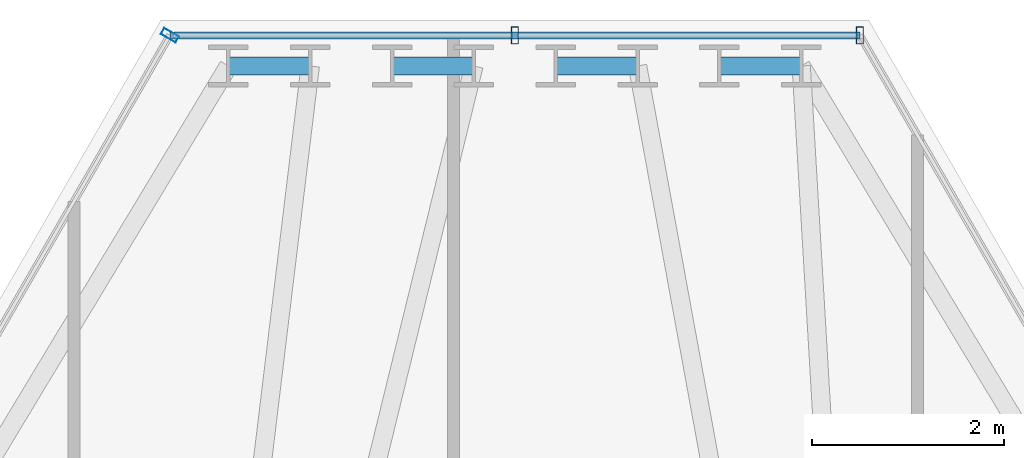
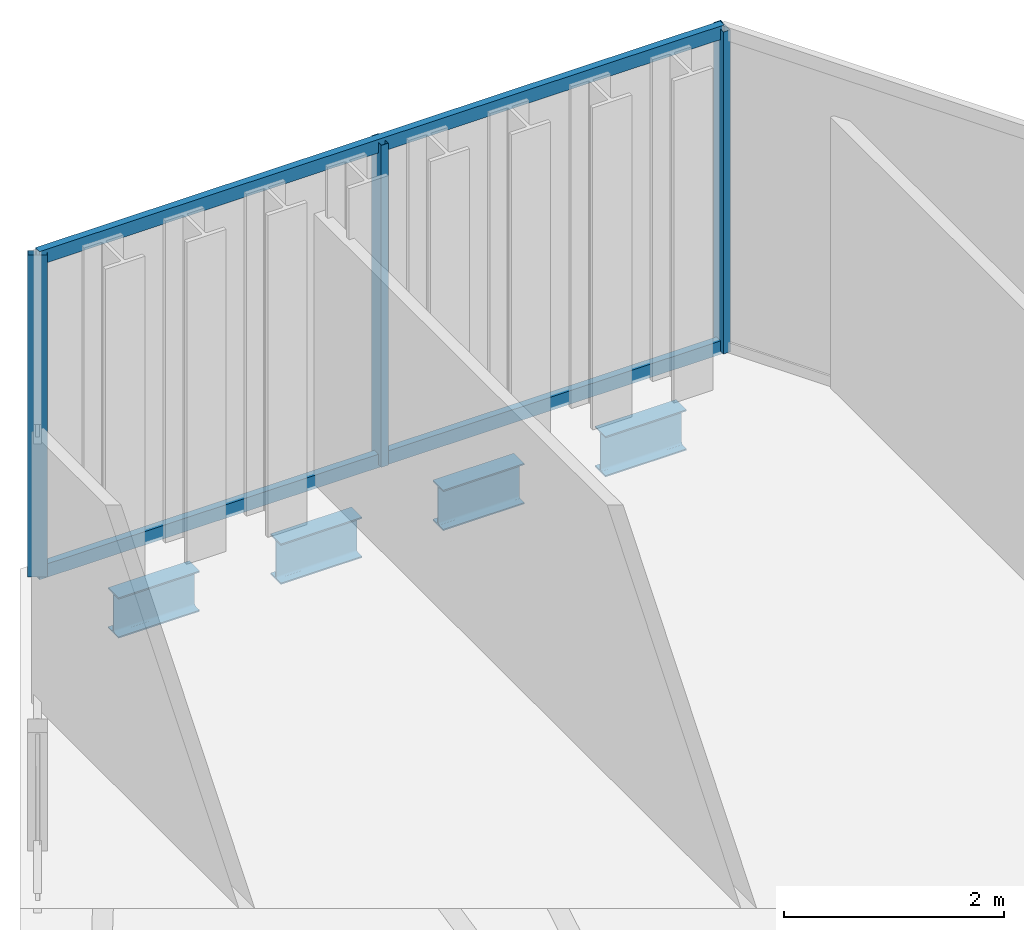
# One storey, part 22 of 29: 5 members, 4 beams, 2 elements without a shape of their own.
"""IFC4 building model written with IfcOpenShell, lengths in metres."""

from ifc_helpers import new_model, si_unit, direction, frame, origin, origin_2d, place, context, subcontext, project, spatial, hollow_rectangle, i_section, extrude, material, layer, layer_set, material_profile, profile_set, type_object, element, aggregate, save


model = new_model("IFC4")

# Units and contexts
model_context = context("Model", 3, precision=1e-05, world=origin(), true_north=direction((0.0, 1.0)))
body_context = subcontext(model_context, "Body", "Model", "MODEL_VIEW")
ifc_project = project(units=[si_unit("LENGTHUNIT", "METRE"), si_unit("AREAUNIT", "SQUARE_METRE"), si_unit("VOLUMEUNIT", "CUBIC_METRE"), si_unit("PLANEANGLEUNIT", "RADIAN"), si_unit("MASSUNIT", "GRAM", prefix="KILO")], contexts=[model_context])

# Site, building, storey
site_placement = place(None, origin())
site = spatial("IfcSite", under=ifc_project, at=site_placement, CompositionType="ELEMENT")
building_placement = place(site_placement, origin())
building = spatial("IfcBuilding", under=site, at=building_placement, Name="Ndaravel Arena Tower", CompositionType="ELEMENT")
storey_placement = place(building_placement, frame((0.0, 0.0, 233.199951171875)))
storey = spatial("IfcBuildingStorey", under=building, at=storey_placement, Name="L56", CompositionType="ELEMENT", Elevation=233.199951171875)

# Beams
ifc_material_1 = material(Name="Steel S355", Category="steel")
ifc_material_profile_1 = material_profile(ifc_material_1, i_section(OverallWidth=0.18994140625, OverallDepth=0.449951171875, WebThickness=0.009521484375, FlangeThickness=0.0146484375, FilletRadius=0.02099609375, at=origin_2d()), Name="IPE 450")
ifc_profile_set_1 = profile_set([ifc_material_profile_1], Name="Steel S355")
beam_type = type_object("IfcBeamType", Name="BM-SPAN-IPE450", PredefinedType="SPANDREL", material=ifc_profile_set_1)
for number, where, z_axis, x_axis, name in (
    (1, (44.988037109375, 44.968994140625, -0.445068359375), (-1.0, 0.0, 0.0), (0.0, -1.0, 0.0), "L56 Perimeter Spandrel Beam SP-11"),
    (2, (43.280517578125, 44.968994140625, -0.445068359375), (-1.0, 0.0, 0.0), (0.0, -1.0, 0.0), "L56 Perimeter Spandrel Beam SP-13"),
    (3, (41.572998046875, 44.968994140625, -0.445068359375), (-1.0, 0.0, 0.0), (0.0, -1.0, 0.0), "L56 Perimeter Spandrel Beam SP-15"),
    (4, (39.865478515625, 44.968994140625, -0.445068359375), (-1.0, 0.0, 0.0), (0.0, -1.0, 0.0), "L56 Perimeter Spandrel Beam SP-17"),
):
    element("IfcBeam", number, at=place(storey_placement, frame(where, z_axis=z_axis, x_axis=x_axis)), inside=storey, type_object=beam_type, Name=name, PredefinedType="SPANDREL", context=body_context, shape_type="SweptSolid", body=[
        extrude(i_section(OverallWidth=0.18994140625, OverallDepth=0.449951171875, WebThickness=0.009521484375, FlangeThickness=0.0146484375, FilletRadius=0.02099609375, at=origin_2d()), origin(), (0.0, 0.0, 1.0), 0.853515625),
    ])

# Curtain wall, members
ifc_material_2 = material(Name="Aluminium", Category="aluminium")
ifc_layer_1 = layer(ifc_material_2, 0.179931640625)
ifc_layer_set_1 = layer_set([ifc_layer_1], Name="Aluminium")
curtain_wall_type_1 = type_object("IfcCurtainWallType", Name="CW-SYS-01", PredefinedType="NOTDEFINED", material=ifc_layer_set_1)
curtain_wall_1_placement = place(storey_placement, origin())
curtain_wall_1 = element("IfcCurtainWall", 5, at=curtain_wall_1_placement, inside=storey, type_object=curtain_wall_type_1, Name="L56 Faceted Crystal Curtain Wall CW-L56-E04", PredefinedType="NOTDEFINED")
ifc_material_3 = material(Name="Aluminium", Category="aluminium")
ifc_material_profile_2 = material_profile(ifc_material_3, hollow_rectangle(XDim=0.074951171875, YDim=0.179931640625, WallThickness=0.00390625, at=origin_2d()), Name="CW MULLION 75x180x4")
ifc_profile_set_2 = profile_set([ifc_material_profile_2], Name="Aluminium")
member_type_1 = type_object("IfcMemberType", Name="MEM-CW-MUL180", PredefinedType="MULLION", material=ifc_profile_set_2)
member_1_placement = place(storey_placement, frame((45.599609375, 45.288818359375, 0.0), z_axis=(0.0, 0.0, 1.0), x_axis=(-1.0, 0.0, 0.0)))
member_1 = element("IfcMember", 6, at=member_1_placement, type_object=member_type_1, Name="CW-L56-E04 Mullion 00", PredefinedType="MULLION", context=body_context, shape_type="SweptSolid", body=[
    extrude(hollow_rectangle(XDim=0.074951171875, YDim=0.179931640625, WallThickness=0.00390625, at=origin_2d()), origin(), (0.0, 0.0, 1.0), 3.580078125),
])
member_2_placement = place(storey_placement, frame((42.0, 45.288818359375, 0.0), z_axis=(0.0, 0.0, 1.0), x_axis=(-1.0, 0.0, 0.0)))
member_2 = element("IfcMember", 7, at=member_2_placement, type_object=member_type_1, Name="CW-L56-E04 Mullion 01", PredefinedType="MULLION", context=body_context, shape_type="SweptSolid", body=[
    extrude(hollow_rectangle(XDim=0.074951171875, YDim=0.179931640625, WallThickness=0.00390625, at=origin_2d()), origin(), (0.0, 0.0, 1.0), 3.580078125),
])

# Curtain wall, member
ifc_material_4 = material(Name="Aluminium", Category="aluminium")
ifc_layer_2 = layer(ifc_material_4, 0.179931640625)
ifc_layer_set_2 = layer_set([ifc_layer_2], Name="Aluminium")
curtain_wall_type_2 = type_object("IfcCurtainWallType", Name="CW-SYS-03", PredefinedType="NOTDEFINED", material=ifc_layer_set_2)
curtain_wall_2_placement = place(storey_placement, origin())
curtain_wall_2 = element("IfcCurtainWall", 8, at=curtain_wall_2_placement, inside=storey, type_object=curtain_wall_type_2, Name="L56 Faceted Crystal Curtain Wall CW-L56-E05", PredefinedType="NOTDEFINED")
member_3_placement = place(storey_placement, frame((38.400390625, 45.288818359375, 0.0), z_axis=(0.0, 0.0, 1.0), x_axis=(-0.5, -0.866025403784, 0.0)))
member_3 = element("IfcMember", 9, at=member_3_placement, type_object=member_type_1, Name="CW-L56-E05 Mullion 00", PredefinedType="MULLION", context=body_context, shape_type="SweptSolid", body=[
    extrude(hollow_rectangle(XDim=0.074951171875, YDim=0.179931640625, WallThickness=0.00390625, at=origin_2d()), origin(), (0.0, 0.0, 1.0), 3.580078125),
])
aggregate(curtain_wall_2, [member_3])

# Member
ifc_material_5 = material(Name="Aluminium", Category="aluminium")
ifc_material_profile_3 = material_profile(ifc_material_5, hollow_rectangle(XDim=0.074951171875, YDim=0.14990234375, WallThickness=0.00390625, at=origin_2d()), Name="CW TRANSOM 75x150x4")
ifc_profile_set_3 = profile_set([ifc_material_profile_3], Name="Aluminium")
member_type_2 = type_object("IfcMemberType", Name="MEM-CW-TRN150", PredefinedType="USERDEFINED", material=ifc_profile_set_3)
member_4_placement = place(storey_placement, frame((45.599609375, 45.288818359375, 0.0400390625), z_axis=(-1.0, 0.0, 0.0), x_axis=(0.0, -1.0, 0.0)))
member_4 = element("IfcMember", 10, at=member_4_placement, type_object=member_type_2, Name="CW-L56-E04 Transom 01", ObjectType="TRANSOM", PredefinedType="USERDEFINED", context=body_context, shape_type="SweptSolid", body=[
    extrude(hollow_rectangle(XDim=0.074951171875, YDim=0.14990234375, WallThickness=0.00390625, at=origin_2d()), origin(), (0.0, 0.0, 1.0), 7.19921875),
])

member_5_placement = place(storey_placement, frame((45.599609375, 45.288818359375, 3.5400390625), z_axis=(-1.0, 0.0, 0.0), x_axis=(0.0, -1.0, 0.0)))
member_5 = element("IfcMember", 11, at=member_5_placement, type_object=member_type_2, Name="CW-L56-E04 Transom 02", ObjectType="TRANSOM", PredefinedType="USERDEFINED", context=body_context, shape_type="SweptSolid", body=[
    extrude(hollow_rectangle(XDim=0.074951171875, YDim=0.14990234375, WallThickness=0.00390625, at=origin_2d()), origin(), (0.0, 0.0, 1.0), 7.19921875),
])

aggregate(curtain_wall_1, [member_1, member_2, member_4, member_5])

save(model, "model.ifc")
